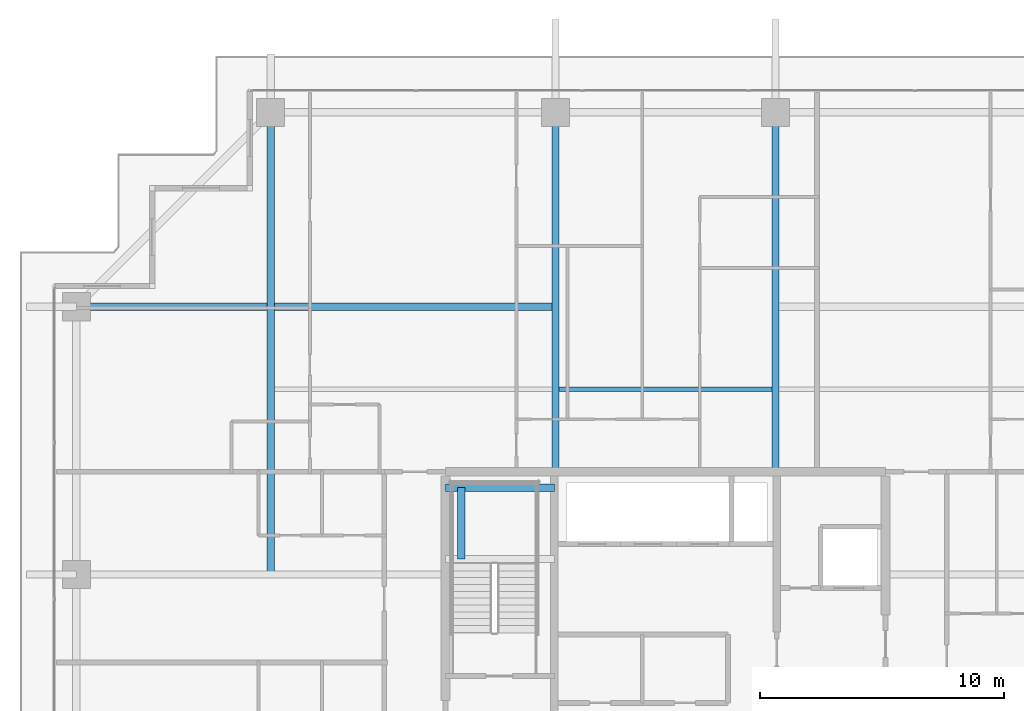
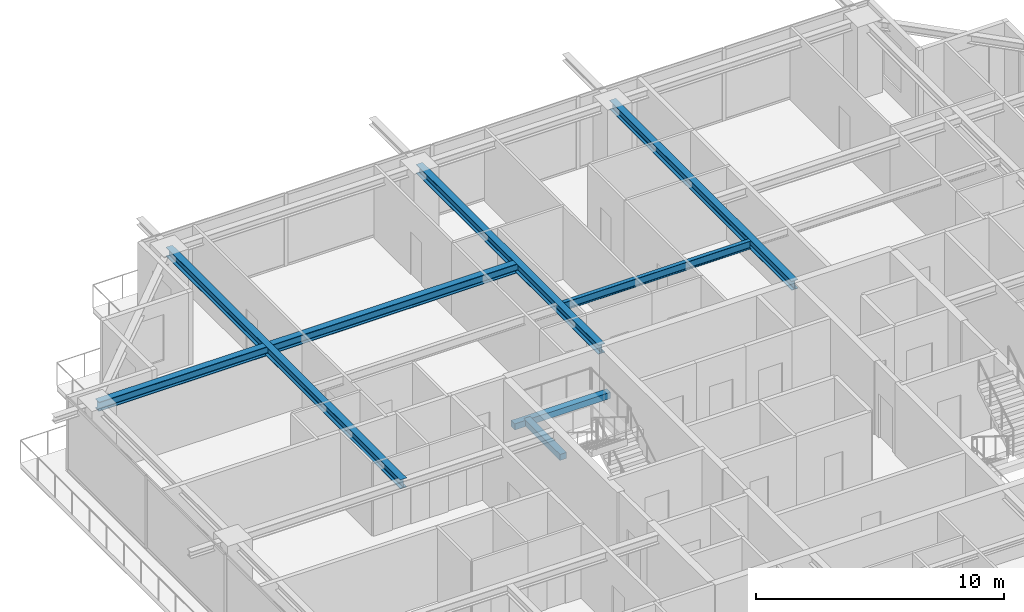
# One storey, part 19 of 38: 7 beams.
"""IFC4 building model written with IfcOpenShell, lengths in metres."""

from ifc_helpers import new_model, si_unit, direction, frame, origin, origin_2d, place, context, subcontext, project, spatial, rectangle, i_section, extrude, source, transform, mapped, material, material_profile, profile_set, type_object, element, save


model = new_model("IFC4")

# Units and contexts
model_context = context("Model", 3, precision=1e-05, world=origin(), true_north=direction((0.0, 1.0)))
body_context = subcontext(model_context, "Body", "Model", "MODEL_VIEW")
ifc_project = project(units=[si_unit("LENGTHUNIT", "METRE"), si_unit("AREAUNIT", "SQUARE_METRE"), si_unit("VOLUMEUNIT", "CUBIC_METRE"), si_unit("PLANEANGLEUNIT", "RADIAN"), si_unit("MASSUNIT", "GRAM", prefix="KILO")], contexts=[model_context])

# Site, building, storey
site_placement = place(None, origin())
site = spatial("IfcSite", under=ifc_project, at=site_placement, CompositionType="ELEMENT")
building_placement = place(site_placement, origin())
building = spatial("IfcBuilding", under=site, at=building_placement, Name="Serunith Strait Residences", CompositionType="ELEMENT")
storey_placement = place(building_placement, frame((0.0, 0.0, 245.10009765625)))
storey = spatial("IfcBuildingStorey", under=building, at=storey_placement, Name="L61", CompositionType="ELEMENT", Elevation=245.10009765625)

# Beams
ifc_material_1 = material(Name="Steel S355J2", Category="steel")
ifc_material_profile_1 = material_profile(ifc_material_1, i_section(OverallWidth=0.179931640625, OverallDepth=0.39990234375, WebThickness=0.008544921875, FlangeThickness=0.013427734375, FilletRadius=0.02099609375, at=origin_2d()), Name="IPE 400")
ifc_profile_set_1 = profile_set([ifc_material_profile_1], Name="Steel S355J2")
beam_type_1 = type_object("IfcBeamType", Name="BM-IPE400", PredefinedType="JOIST", material=ifc_profile_set_1)
shared_shape_1 = source(origin(), body_context, "Body", "SweptSolid", [
    extrude(i_section(OverallWidth=0.179931640625, OverallDepth=0.39990234375, WebThickness=0.008544921875, FlangeThickness=0.013427734375, FilletRadius=0.02099609375, at=origin_2d()), origin(), (0.0, 0.0, 1.0), 8.699951171875),
])
beam_1_placement = place(storey_placement, frame((28.050048828125, 36.97509765625, 3.386962890625), z_axis=(1.0, 0.0, 0.0), x_axis=(0.0, 1.0, 0.0)))
element("IfcBeam", 1, at=beam_1_placement, inside=storey, type_object=beam_type_1, Name="L61 Composite Floor Joist 05", PredefinedType="JOIST", context=body_context, shape_type="MappedRepresentation", body=[
    mapped(shared_shape_1, transform((0.0, 0.0, 0.0), scale=1.0)),
])
ifc_material_profile_2 = material_profile(ifc_material_1, i_section(OverallWidth=0.300048828125, OverallDepth=0.449951171875, WebThickness=0.013916015625, FlangeThickness=0.02587890625, FilletRadius=0.027099609375, at=origin_2d()), Name="HEB 450")
ifc_profile_set_2 = profile_set([ifc_material_profile_2], Name="Steel S355J2")
beam_type_2 = type_object("IfcBeamType", Name="BM-HEB450", PredefinedType="BEAM", material=ifc_profile_set_2)
shared_shape_2 = source(origin(), body_context, "Body", "SweptSolid", [
    extrude(i_section(OverallWidth=0.300048828125, OverallDepth=0.449951171875, WebThickness=0.013916015625, FlangeThickness=0.02587890625, FilletRadius=0.027099609375, at=origin_2d()), origin(), (0.0, 0.0, 1.0), 14.699951171875),
])
for number, where, z_axis, x_axis, name in (
    (2, (27.89990234375, 33.60009765625, 3.36181640625), (0.0, 1.0, 0.0), (-1.0, 0.0, 0.0), "L61 Primary Floor Girder TC-N2"),
    (3, (36.89990234375, 33.60009765625, 3.36181640625), (0.0, 1.0, 0.0), (-1.0, 0.0, 0.0), "L61 Primary Floor Girder TC-N3"),
):
    element("IfcBeam", number, at=place(storey_placement, frame(where, z_axis=z_axis, x_axis=x_axis)), inside=storey, type_object=beam_type_2, Name=name, PredefinedType="BEAM", context=body_context, shape_type="MappedRepresentation", body=[
        mapped(shared_shape_2, transform((0.0, 0.0, 0.0), scale=1.0)),
    ])
shared_shape_3 = source(origin(), body_context, "Body", "SweptSolid", [
    extrude(i_section(OverallWidth=0.300048828125, OverallDepth=0.449951171875, WebThickness=0.013916015625, FlangeThickness=0.02587890625, FilletRadius=0.027099609375, at=origin_2d()), origin(), (0.0, 0.0, 1.0), 18.900146484375),
])
beam_2_placement = place(storey_placement, frame((16.25, 29.39990234375, 3.36181640625), z_axis=(0.0, 1.0, 0.0), x_axis=(-1.0, 0.0, 0.0)))
element("IfcBeam", 4, at=beam_2_placement, inside=storey, type_object=beam_type_2, Name="L61 Orthogonal Corner Girder TC-N1", PredefinedType="BEAM", context=body_context, shape_type="MappedRepresentation", body=[
    mapped(shared_shape_3, transform((0.0, 0.0, 0.0), scale=1.0)),
])
shared_shape_4 = source(origin(), body_context, "Body", "SweptSolid", [
    extrude(i_section(OverallWidth=0.300048828125, OverallDepth=0.449951171875, WebThickness=0.013916015625, FlangeThickness=0.02587890625, FilletRadius=0.027099609375, at=origin_2d()), origin(), (0.0, 0.0, 1.0), 19.599853515625),
])
beam_3_placement = place(storey_placement, frame((27.89990234375, 40.35009765625, 3.36181640625), z_axis=(-1.0, 0.0, 0.0), x_axis=(0.0, -1.0, 0.0)))
element("IfcBeam", 5, at=beam_3_placement, inside=storey, type_object=beam_type_2, Name="L61 Orthogonal Corner Girder TC-W4", PredefinedType="BEAM", context=body_context, shape_type="MappedRepresentation", body=[
    mapped(shared_shape_4, transform((0.0, 0.0, 0.0), scale=1.0)),
])
ifc_material_2 = material(Name="Concrete C60/75", Category="concrete")
ifc_material_profile_3 = material_profile(ifc_material_2, rectangle(XDim=0.300048828125, YDim=0.300048828125, at=origin_2d()), Name="RC 300x300")
ifc_profile_set_3 = profile_set([ifc_material_profile_3], Name="Concrete C60/75")
beam_type_3 = type_object("IfcBeamType", Name="BM-LAND-300x300", PredefinedType="BEAM", material=ifc_profile_set_3)
shared_shape_5 = source(origin(), body_context, "Body", "SweptSolid", [
    extrude(rectangle(XDim=0.300048828125, YDim=0.300048828125, at=origin_2d()), origin(), (0.0, 0.0, 1.0), 4.4501953125),
])
beam_4_placement = place(storey_placement, frame((23.39990234375, 32.949951171875, 1.574951171875), z_axis=(1.0, 0.0, 0.0), x_axis=(0.0, 1.0, 0.0)))
element("IfcBeam", 6, at=beam_4_placement, inside=storey, type_object=beam_type_3, Name="L61 ST-1 Landing Support Beam 2", PredefinedType="BEAM", context=body_context, shape_type="MappedRepresentation", body=[
    mapped(shared_shape_5, transform((0.0, 0.0, 0.0), scale=1.0)),
])
shared_shape_6 = source(origin(), body_context, "Body", "SweptSolid", [
    extrude(rectangle(XDim=0.300048828125, YDim=0.300048828125, at=origin_2d()), origin(), (0.0, 0.0, 1.0), 2.919921875),
])
beam_5_placement = place(storey_placement, frame((24.050048828125, 30.030029296875, 1.574951171875), z_axis=(0.0, 1.0, 0.0), x_axis=(-1.0, 0.0, 0.0)))
element("IfcBeam", 7, at=beam_5_placement, inside=storey, type_object=beam_type_3, Name="L61 ST-1 Landing Transverse Tie Beam", PredefinedType="BEAM", context=body_context, shape_type="MappedRepresentation", body=[
    mapped(shared_shape_6, transform((0.0, 0.0, 0.0), scale=1.0)),
])

save(model, "model.ifc")
